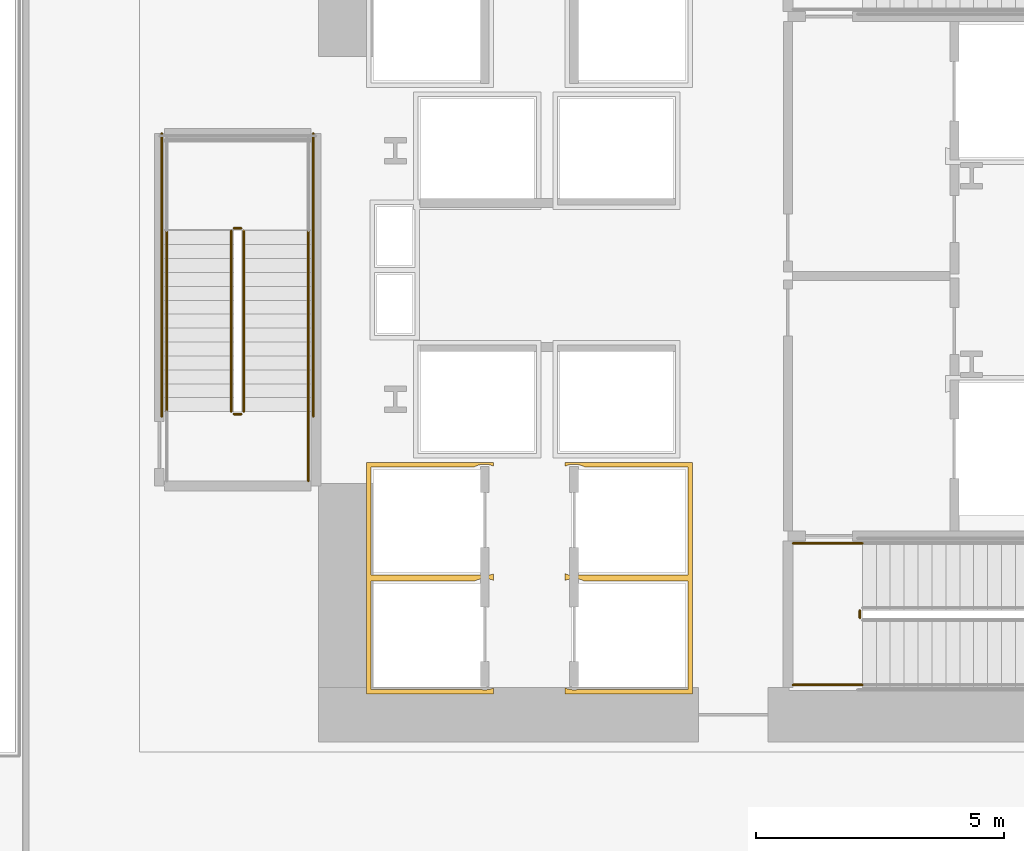
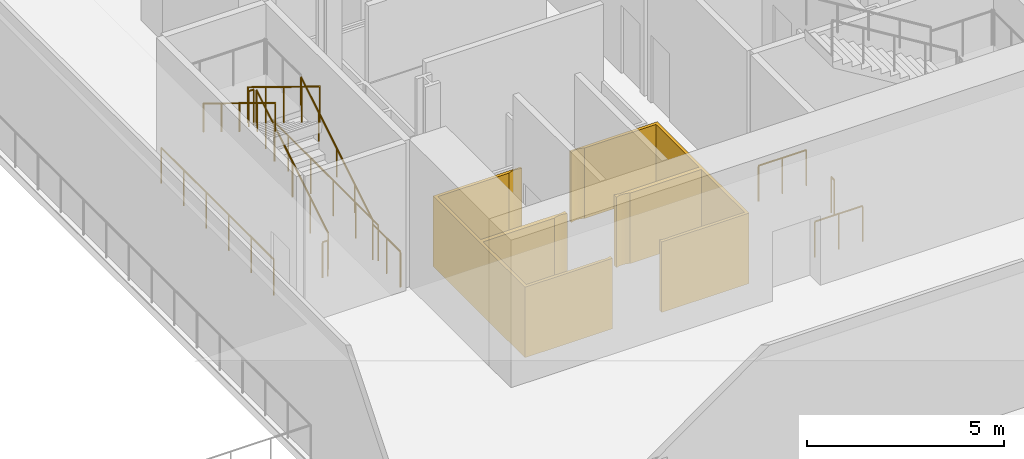
# One storey, part 12 of 19: 12 railings, 2 coverings.
"""IFC4 building model written with IfcOpenShell, lengths in metres."""

from ifc_helpers import new_model, si_unit, direction, frame, origin, origin_2d, place, context, subcontext, project, spatial, polyline, circle, outline, extrude, material, layer, layer_set, type_object, element, save


model = new_model("IFC4")

# Units and contexts
model_context = context("Model", 3, precision=1e-05, world=origin(), true_north=direction((0.0, 1.0)))
body_context = subcontext(model_context, "Body", "Model", "MODEL_VIEW")
ifc_project = project(units=[si_unit("LENGTHUNIT", "METRE"), si_unit("AREAUNIT", "SQUARE_METRE"), si_unit("VOLUMEUNIT", "CUBIC_METRE"), si_unit("PLANEANGLEUNIT", "RADIAN"), si_unit("MASSUNIT", "GRAM", prefix="KILO")], contexts=[model_context])

# Site, building, storey
site_placement = place(None, origin())
site = spatial("IfcSite", under=ifc_project, at=site_placement, CompositionType="ELEMENT")
building_placement = place(site_placement, origin())
building = spatial("IfcBuilding", under=site, at=building_placement, Name="Valkerne Bourse Tower", CompositionType="ELEMENT")
storey_placement = place(building_placement, frame((0.0, 0.0, 5.39990234375)))
storey = spatial("IfcBuildingStorey", under=building, at=storey_placement, Name="L01", CompositionType="ELEMENT", Elevation=5.39990234375)

# Coverings
ifc_material_1 = material(Name="Gypsum Shaftwall Liner Board", Category="gypsum")
ifc_layer = layer(ifc_material_1, 0.080078125)
ifc_layer_set = layer_set([ifc_layer], Name="Gypsum Shaftwall Liner Board")
covering_type = type_object("IfcCoveringType", Name="COV-SHF-CLAD", PredefinedType="CLADDING", material=ifc_layer_set)
covering_1_placement = place(storey_placement, origin())
element("IfcCovering", 1, at=covering_1_placement, inside=storey, type_object=covering_type, Name="L01 Hoistway & Riser Shaftwall Liner 01", PredefinedType="CLADDING", context=body_context, shape_type="SweptSolid", body=[
    extrude(outline(polyline([(38.169921875, 23.1298828125), (40.72998046875, 23.1298828125), (40.72998046875, 23.052001953125), (40.72216796875, 23.0556640625), (40.6806640625, 23.070556640625), (40.6376953125, 23.081298828125), (40.593994140625, 23.087890625), (40.550048828125, 23.090087890625), (40.505859375, 23.087890625), (40.462158203125, 23.081298828125), (40.41943359375, 23.070556640625), (40.377685546875, 23.0556640625), (40.344482421875, 23.0400390625), (38.260009765625, 23.0400390625), (38.260009765625, 20.860107421875), (40.456787109375, 20.860107421875), (40.462158203125, 20.858642578125), (40.505859375, 20.852294921875), (40.550048828125, 20.85009765625), (40.593994140625, 20.852294921875), (40.6376953125, 20.858642578125), (40.6806640625, 20.869384765625), (40.72216796875, 20.88427734375), (40.72998046875, 20.887939453125), (40.72998046875, 20.830078125), (40.72998046875, 20.77001953125), (40.72998046875, 20.752197265625), (40.72216796875, 20.755615234375), (40.6806640625, 20.7705078125), (40.6376953125, 20.781494140625), (40.593994140625, 20.787841796875), (40.550048828125, 20.7900390625), (40.505859375, 20.787841796875), (40.462158203125, 20.781494140625), (40.41943359375, 20.7705078125), (40.377685546875, 20.755615234375), (40.344482421875, 20.739990234375), (38.260009765625, 20.739990234375), (38.260009765625, 18.56005859375), (40.456787109375, 18.56005859375), (40.462158203125, 18.55859375), (40.505859375, 18.55224609375), (40.550048828125, 18.550048828125), (40.593994140625, 18.55224609375), (40.6376953125, 18.55859375), (40.6806640625, 18.5693359375), (40.72216796875, 18.584228515625), (40.72998046875, 18.587890625), (40.72998046875, 18.469970703125), (38.169921875, 18.469970703125), (38.169921875, 20.77001953125), (38.169921875, 20.830078125), (38.169921875, 23.1298828125)])), origin(), (0.0, 0.0, 1.0), 2.18017578125),
])
covering_2_placement = place(storey_placement, origin())
element("IfcCovering", 2, at=covering_2_placement, inside=storey, type_object=covering_type, Name="L01 Hoistway & Riser Shaftwall Liner 06", PredefinedType="CLADDING", context=body_context, shape_type="SweptSolid", body=[
    extrude(outline(polyline([(42.169921875, 20.830078125), (42.169921875, 20.887939453125), (42.177734375, 20.88427734375), (42.219482421875, 20.869384765625), (42.26220703125, 20.858642578125), (42.305908203125, 20.852294921875), (42.35009765625, 20.85009765625), (42.39404296875, 20.852294921875), (42.437744140625, 20.858642578125), (42.443115234375, 20.860107421875), (44.639892578125, 20.860107421875), (44.639892578125, 23.0400390625), (42.555419921875, 23.0400390625), (42.522216796875, 23.0556640625), (42.480712890625, 23.070556640625), (42.437744140625, 23.081298828125), (42.39404296875, 23.087890625), (42.35009765625, 23.090087890625), (42.305908203125, 23.087890625), (42.26220703125, 23.081298828125), (42.219482421875, 23.070556640625), (42.177734375, 23.0556640625), (42.169921875, 23.052001953125), (42.169921875, 23.1298828125), (44.72998046875, 23.1298828125), (44.72998046875, 20.830078125), (44.72998046875, 20.77001953125), (44.72998046875, 18.469970703125), (42.169921875, 18.469970703125), (42.169921875, 18.587890625), (42.177734375, 18.584228515625), (42.219482421875, 18.5693359375), (42.26220703125, 18.55859375), (42.305908203125, 18.55224609375), (42.35009765625, 18.550048828125), (42.39404296875, 18.55224609375), (42.437744140625, 18.55859375), (42.443115234375, 18.56005859375), (44.639892578125, 18.56005859375), (44.639892578125, 20.739990234375), (42.555419921875, 20.739990234375), (42.522216796875, 20.755615234375), (42.480712890625, 20.7705078125), (42.437744140625, 20.781494140625), (42.39404296875, 20.787841796875), (42.35009765625, 20.7900390625), (42.305908203125, 20.787841796875), (42.26220703125, 20.781494140625), (42.219482421875, 20.7705078125), (42.177734375, 20.755615234375), (42.169921875, 20.752197265625), (42.169921875, 20.77001953125), (42.169921875, 20.830078125)])), origin(), (0.0, 0.0, 1.0), 2.18017578125),
])

# Railings
ifc_material_2 = material(Name="Galvanised Painted Steel", Category="steel")
railing_type_1 = type_object("IfcRailingType", Name="RLG-ST-GUARD-1120", PredefinedType="GUARDRAIL", material=ifc_material_2)
railing_1_placement = place(storey_placement, frame((48.10009765625, 20.0, 0.0)))
element("IfcRailing", 3, at=railing_1_placement, inside=storey, type_object=railing_type_1, Name="L01 ST-1 stair guard 7", PredefinedType="GUARDRAIL", context=body_context, shape_type="SweptSolid", body=[
    extrude(circle(Radius=0.02392578125, at=origin_2d()), frame((0.0, 0.0, 1.09619140625), z_axis=(0.0, 1.0, 0.0), x_axis=(-1.0, 0.0, 0.0)), (0.0, 0.0, 1.0), 0.14990234375),
    extrude(circle(Radius=0.02099609375, at=origin_2d()), origin(), (0.0, 0.0, 1.0), 1.072021484375),
    extrude(circle(Radius=0.02099609375, at=origin_2d()), frame((0.0, 0.14990234375, 0.0)), (0.0, 0.0, 1.0), 1.072021484375),
])
for number, where, name in (
    (4, (46.75, 18.64990234375, 0.0), "L01 ST-1 stair guard 8"),
    (5, (46.75, 21.5, 0.0), "L01 ST-1 stair guard 9"),
):
    element("IfcRailing", number, at=place(storey_placement, frame(where)), inside=storey, type_object=railing_type_1, Name=name, PredefinedType="GUARDRAIL", context=body_context, shape_type="SweptSolid", body=[
        extrude(circle(Radius=0.02392578125, at=origin_2d()), frame((0.0, 0.0, 1.09619140625), z_axis=(1.0, 0.0, 0.0), x_axis=(0.0, 1.0, 0.0)), (0.0, 0.0, 1.0), 1.39990234375),
        extrude(circle(Radius=0.02099609375, at=origin_2d()), origin(), (0.0, 0.0, 1.0), 1.072021484375),
        extrude(circle(Radius=0.02099609375, at=origin_2d()), frame((0.699951171875, 0.0, 0.0)), (0.0, 0.0, 1.0), 1.072021484375),
        extrude(circle(Radius=0.02099609375, at=origin_2d()), frame((1.39990234375, 0.0, 0.0)), (0.0, 0.0, 1.0), 1.072021484375),
    ])
railing_2_placement = place(storey_placement, frame((35.699951171875, 24.14990234375, 0.171630859375)))
element("IfcRailing", 6, at=railing_2_placement, inside=storey, type_object=railing_type_1, Name="L01 ST-3 stair guard 1", PredefinedType="GUARDRAIL", context=body_context, shape_type="SweptSolid", body=[
    extrude(circle(Radius=0.02392578125, at=origin_2d()), frame((0.0, 0.0, 1.09619140625), z_axis=(0.0, 0.852865859571, 0.52213008492), x_axis=(-1.0, 0.0, 0.0)), (0.0, 0.0, 1.0), 4.26806640625),
    extrude(circle(Radius=0.02099609375, at=origin_2d()), origin(), (0.0, 0.0, 1.0), 1.072021484375),
    extrude(circle(Radius=0.02099609375, at=origin_2d()), frame((0.0, 0.91015625, 0.55712890625)), (0.0, 0.0, 1.0), 1.072021484375),
    extrude(circle(Radius=0.02099609375, at=origin_2d()), frame((0.0, 1.820068359375, 1.1142578125)), (0.0, 0.0, 1.0), 1.072021484375),
    extrude(circle(Radius=0.02099609375, at=origin_2d()), frame((0.0, 2.72998046875, 1.67138671875)), (0.0, 0.0, 1.0), 1.072021484375),
    extrude(circle(Radius=0.02099609375, at=origin_2d()), frame((0.0, 3.64013671875, 2.228515625)), (0.0, 0.0, 1.0), 1.072021484375),
])
railing_3_placement = place(storey_placement, frame((35.64990234375, 27.840087890625, 2.400146484375)))
element("IfcRailing", 7, at=railing_3_placement, inside=storey, type_object=railing_type_1, Name="L01 ST-3 stair guard 2", PredefinedType="GUARDRAIL", context=body_context, shape_type="SweptSolid", body=[
    extrude(circle(Radius=0.02392578125, at=origin_2d()), frame((0.0, 0.0, 1.09619140625), z_axis=(-1.0, 0.0, 0.0), x_axis=(0.0, -1.0, 0.0)), (0.0, 0.0, 1.0), 0.14990234375),
    extrude(circle(Radius=0.02099609375, at=origin_2d()), origin(), (0.0, 0.0, 1.0), 1.072021484375),
    extrude(circle(Radius=0.02099609375, at=origin_2d()), frame((-0.14990234375, 0.0, 0.0)), (0.0, 0.0, 1.0), 1.072021484375),
])
railing_4_placement = place(storey_placement, frame((35.449951171875, 27.7900390625, 2.571533203125)))
element("IfcRailing", 8, at=railing_4_placement, inside=storey, type_object=railing_type_1, Name="L01 ST-3 stair guard 6", PredefinedType="GUARDRAIL", context=body_context, shape_type="SweptSolid", body=[
    extrude(circle(Radius=0.02392578125, at=origin_2d()), frame((0.0, 0.0, 1.09619140625), z_axis=(0.0, -0.852865859571, 0.52213008492), x_axis=(1.0, 0.0, 0.0)), (0.0, 0.0, 1.0), 4.26806640625),
    extrude(circle(Radius=0.02099609375, at=origin_2d()), origin(), (0.0, 0.0, 1.0), 1.072021484375),
    extrude(circle(Radius=0.02099609375, at=origin_2d()), frame((0.0, -0.91015625, 0.55712890625)), (0.0, 0.0, 1.0), 1.072021484375),
    extrude(circle(Radius=0.02099609375, at=origin_2d()), frame((0.0, -1.820068359375, 1.1142578125)), (0.0, 0.0, 1.0), 1.072021484375),
    extrude(circle(Radius=0.02099609375, at=origin_2d()), frame((0.0, -2.72998046875, 1.67138671875)), (0.0, 0.0, 1.0), 1.072021484375),
    extrude(circle(Radius=0.02099609375, at=origin_2d()), frame((0.0, -3.64013671875, 2.228515625)), (0.0, 0.0, 1.0), 1.072021484375),
])
railing_5_placement = place(storey_placement, frame((35.64990234375, 24.10009765625, 0.0)))
element("IfcRailing", 9, at=railing_5_placement, inside=storey, type_object=railing_type_1, Name="L01 ST-3 stair guard 7", PredefinedType="GUARDRAIL", context=body_context, shape_type="SweptSolid", body=[
    extrude(circle(Radius=0.02392578125, at=origin_2d()), frame((0.0, 0.0, 1.09619140625), z_axis=(-1.0, 0.0, 0.0), x_axis=(0.0, -1.0, 0.0)), (0.0, 0.0, 1.0), 0.14990234375),
    extrude(circle(Radius=0.02099609375, at=origin_2d()), origin(), (0.0, 0.0, 1.0), 1.072021484375),
    extrude(circle(Radius=0.02099609375, at=origin_2d()), frame((-0.14990234375, 0.0, 0.0)), (0.0, 0.0, 1.0), 1.072021484375),
])
railing_6_placement = place(storey_placement, frame((37.0, 22.75, 0.0)))
element("IfcRailing", 10, at=railing_6_placement, inside=storey, type_object=railing_type_1, Name="L01 ST-3 stair guard 8", PredefinedType="GUARDRAIL", context=body_context, shape_type="SweptSolid", body=[
    extrude(circle(Radius=0.02392578125, at=origin_2d()), frame((0.0, 0.0, 1.09619140625), z_axis=(0.0, 1.0, 0.0), x_axis=(-1.0, 0.0, 0.0)), (0.0, 0.0, 1.0), 1.39990234375),
    extrude(circle(Radius=0.02099609375, at=origin_2d()), origin(), (0.0, 0.0, 1.0), 1.072021484375),
    extrude(circle(Radius=0.02099609375, at=origin_2d()), frame((0.0, 0.699951171875, 0.0)), (0.0, 0.0, 1.0), 1.072021484375),
    extrude(circle(Radius=0.02099609375, at=origin_2d()), frame((0.0, 1.39990234375, 0.0)), (0.0, 0.0, 1.0), 1.072021484375),
])
for number, where, name in (
    (11, (37.10009765625, 24.050048828125, 0.0), "L01 ST-3 stair guard 10"),
    (12, (34.050048828125, 24.050048828125, 0.0), "L01 ST-3 stair guard 11"),
):
    element("IfcRailing", number, at=place(storey_placement, frame(where)), inside=storey, type_object=railing_type_1, Name=name, PredefinedType="GUARDRAIL", context=body_context, shape_type="SweptSolid", body=[
        extrude(circle(Radius=0.02392578125, at=origin_2d()), frame((0.0, 0.0, 1.09619140625), z_axis=(0.0, 1.0, 0.0), x_axis=(-1.0, 0.0, 0.0)), (0.0, 0.0, 1.0), 5.699951171875),
        extrude(circle(Radius=0.02099609375, at=origin_2d()), origin(), (0.0, 0.0, 1.0), 1.072021484375),
        extrude(circle(Radius=0.02099609375, at=origin_2d()), frame((0.0, 1.139892578125, 0.0)), (0.0, 0.0, 1.0), 1.072021484375),
        extrude(circle(Radius=0.02099609375, at=origin_2d()), frame((0.0, 2.280029296875, 0.0)), (0.0, 0.0, 1.0), 1.072021484375),
        extrude(circle(Radius=0.02099609375, at=origin_2d()), frame((0.0, 3.419921875, 0.0)), (0.0, 0.0, 1.0), 1.072021484375),
        extrude(circle(Radius=0.02099609375, at=origin_2d()), frame((0.0, 4.56005859375, 0.0)), (0.0, 0.0, 1.0), 1.072021484375),
        extrude(circle(Radius=0.02099609375, at=origin_2d()), frame((0.0, 5.699951171875, 0.0)), (0.0, 0.0, 1.0), 1.072021484375),
    ])
ifc_material_3 = material(Name="Stainless Steel AISI 316", Category="steel")
railing_type_2 = type_object("IfcRailingType", Name="RLG-ST-HANDRAIL-900", PredefinedType="HANDRAIL", material=ifc_material_3)
railing_7_placement = place(storey_placement, frame((37.0, 24.14990234375, 0.343017578125)))
element("IfcRailing", 13, at=railing_7_placement, inside=storey, type_object=railing_type_2, Name="L01 ST-3 stair handrail 1", PredefinedType="HANDRAIL", context=body_context, shape_type="SweptSolid", body=[
    extrude(circle(Radius=0.02392578125, at=origin_2d()), frame((0.0, 0.0, 0.8759765625), z_axis=(0.0, 0.852865859571, 0.52213008492), x_axis=(-1.0, 0.0, 0.0)), (0.0, 0.0, 1.0), 4.26806640625),
    extrude(circle(Radius=0.02099609375, at=origin_2d()), origin(), (0.0, 0.0, 1.0), 0.851806640625),
    extrude(circle(Radius=0.02099609375, at=origin_2d()), frame((0.0, 0.91015625, 0.55712890625)), (0.0, 0.0, 1.0), 0.851806640625),
    extrude(circle(Radius=0.02099609375, at=origin_2d()), frame((0.0, 1.820068359375, 1.1142578125)), (0.0, 0.0, 1.0), 0.851806640625),
    extrude(circle(Radius=0.02099609375, at=origin_2d()), frame((0.0, 2.72998046875, 1.67138671875)), (0.0, 0.0, 1.0), 0.851806640625),
    extrude(circle(Radius=0.02099609375, at=origin_2d()), frame((0.0, 3.64013671875, 2.228515625)), (0.0, 0.0, 1.0), 0.851806640625),
])
railing_8_placement = place(storey_placement, frame((34.14990234375, 27.7900390625, 2.742919921875)))
element("IfcRailing", 14, at=railing_8_placement, inside=storey, type_object=railing_type_2, Name="L01 ST-3 stair handrail 2", PredefinedType="HANDRAIL", context=body_context, shape_type="SweptSolid", body=[
    extrude(circle(Radius=0.02392578125, at=origin_2d()), frame((0.0, 0.0, 0.8759765625), z_axis=(0.0, -0.852865859571, 0.52213008492), x_axis=(1.0, 0.0, 0.0)), (0.0, 0.0, 1.0), 4.26806640625),
    extrude(circle(Radius=0.02099609375, at=origin_2d()), origin(), (0.0, 0.0, 1.0), 0.851806640625),
    extrude(circle(Radius=0.02099609375, at=origin_2d()), frame((0.0, -0.91015625, 0.55712890625)), (0.0, 0.0, 1.0), 0.851806640625),
    extrude(circle(Radius=0.02099609375, at=origin_2d()), frame((0.0, -1.820068359375, 1.1142578125)), (0.0, 0.0, 1.0), 0.851806640625),
    extrude(circle(Radius=0.02099609375, at=origin_2d()), frame((0.0, -2.72998046875, 1.67138671875)), (0.0, 0.0, 1.0), 0.851806640625),
    extrude(circle(Radius=0.02099609375, at=origin_2d()), frame((0.0, -3.64013671875, 2.228515625)), (0.0, 0.0, 1.0), 0.851806640625),
])

save(model, "model.ifc")
